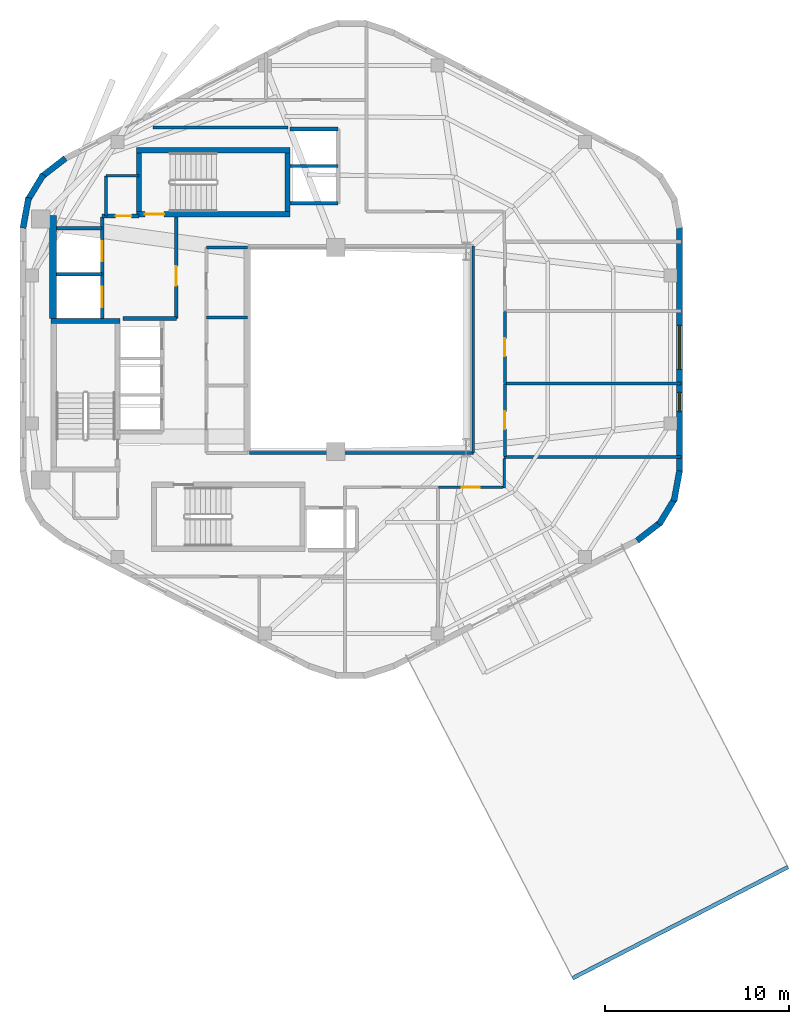
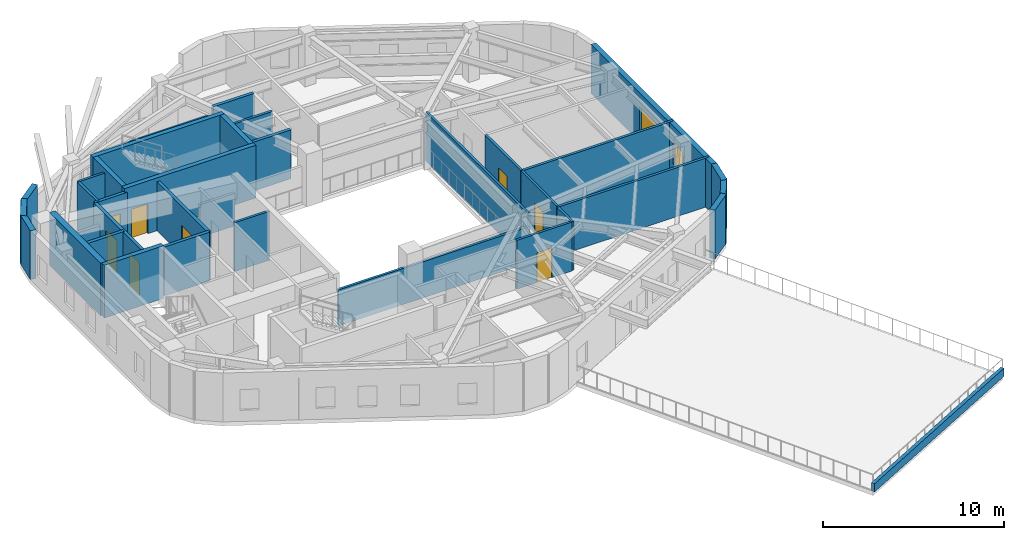
# One storey, part 4 of 8: 36 walls, 8 doors, 2 windows, 10 openings.
"""IFC4 building model written with IfcOpenShell, lengths in metres."""

from ifc_helpers import new_model, si_unit, direction, frame, frame_2d, origin, place, context, subcontext, project, spatial, rectangle, extrude, material, layer, layer_set, type_object, element, fill, save


model = new_model("IFC4")

# Units and contexts
model_context = context("Model", 3, precision=1e-05, world=origin(), true_north=direction((0.0, 1.0)))
body_context = subcontext(model_context, "Body", "Model", "MODEL_VIEW")
ifc_project = project(units=[si_unit("LENGTHUNIT", "METRE"), si_unit("AREAUNIT", "SQUARE_METRE"), si_unit("VOLUMEUNIT", "CUBIC_METRE"), si_unit("PLANEANGLEUNIT", "RADIAN"), si_unit("MASSUNIT", "GRAM", prefix="KILO"), si_unit("THERMODYNAMICTEMPERATUREUNIT", "KELVIN"), si_unit("POWERUNIT", "WATT")], contexts=[model_context])

# Site, building, storey
site_placement = place(None, origin())
site = spatial("IfcSite", under=ifc_project, at=site_placement, CompositionType="ELEMENT")
building_placement = place(site_placement, origin())
building = spatial("IfcBuilding", under=site, at=building_placement, Name="Skarre Station Tower", CompositionType="ELEMENT")
storey_placement = place(building_placement, frame((0.0, 0.0, 245.449951171875)))
storey = spatial("IfcBuildingStorey", under=building, at=storey_placement, Name="L67", CompositionType="ELEMENT", Elevation=245.449951171875)

# Walls
ifc_material_1 = material(Name="Acoustic Steel-Stud Gypsum Partition", Category="steel")
ifc_layer_1 = layer(ifc_material_1, 0.14990234375, Name="Acoustic Steel-Stud Gypsum Partition")
ifc_layer_set_1 = layer_set([ifc_layer_1], Name="Acoustic Steel-Stud Gypsum Partition")
wall_type_1 = type_object("IfcWallType", Name="Fire-Rated Corridor Acoustic Partition 150", PredefinedType="PARTITIONING", material=ifc_layer_set_1)
wall_1_placement = place(storey_placement, frame((25.320068359375, 25.739990234375, 0.0), z_axis=(0.0, 0.0, 1.0), x_axis=(1.0, 0.0, 0.0)))
element("IfcWall", 1, at=wall_1_placement, inside=storey, type_object=wall_type_1, Name="L67 Interior Partition WL-PT-L67-RC2-M2", PredefinedType="PARTITIONING", context=body_context, shape_type="SweptSolid", body=[
    extrude(rectangle(XDim=2.22998046875, YDim=0.14990234375, at=frame_2d((1.114990234375, 0.0))), origin(), (0.0, 0.0, 1.0), 3.2900390625),
])
wall_2_placement = place(storey_placement, frame((27.550048828125, 29.550048828125, 0.0), z_axis=(0.0, 0.0, 1.0), x_axis=(-1.0, 0.0, 0.0)))
element("IfcWall", 2, at=wall_2_placement, inside=storey, type_object=wall_type_1, Name="L67 Interior Partition WL-PT-L67-RC2-N", PredefinedType="PARTITIONING", context=body_context, shape_type="SweptSolid", body=[
    extrude(rectangle(XDim=2.22998046875, YDim=0.14990234375, at=frame_2d((1.114990234375, 0.0))), origin(), (0.0, 0.0, 1.0), 2.18994140625),
])
wall_3_placement = place(storey_placement, frame((19.85009765625, 33.449951171875, 0.0), z_axis=(0.0, 0.0, 1.0), x_axis=(0.0, -1.0, 0.0)))
element("IfcWall", 3, at=wall_3_placement, inside=storey, type_object=wall_type_1, Name="L67 Interior Partition WL-PT-L67-CNW-W", PredefinedType="PARTITIONING", context=body_context, shape_type="SweptSolid", body=[
    extrude(rectangle(XDim=2.18994140625, YDim=0.14990234375, at=frame_2d((1.094970703125, 0.0))), origin(), (0.0, 0.0, 1.0), 3.2900390625),
])
wall_4_placement = place(storey_placement, frame((21.659912109375, 33.449951171875, 0.0), z_axis=(0.0, 0.0, 1.0), x_axis=(-1.0, 0.0, 0.0)))
element("IfcWall", 4, at=wall_4_placement, inside=storey, type_object=wall_type_1, Name="L67 Interior Partition WL-PT-L67-CNW-N1", PredefinedType="PARTITIONING", context=body_context, shape_type="SweptSolid", body=[
    extrude(rectangle(XDim=1.809814453125, YDim=0.14990234375, at=frame_2d((0.90478515625, 0.0))), origin(), (0.0, 0.0, 1.0), 3.2900390625),
])
wall_5_placement = place(storey_placement, frame((27.675048828125, 18.360107421875, 0.0), z_axis=(0.0, 0.0, 1.0), x_axis=(1.0, 0.0, 0.0)))
element("IfcWall", 5, at=wall_5_placement, inside=storey, type_object=wall_type_1, Name="L67 Interior Partition WL-PT-L67-ATRW-S", PredefinedType="PARTITIONING", context=body_context, shape_type="SweptSolid", body=[
    extrude(rectangle(XDim=12.1650390625, YDim=0.14990234375, at=frame_2d((6.08251953125, 0.0))), origin(), (0.0, 0.0, 1.0), 2.43115234375),
])
wall_6_placement = place(storey_placement, frame((39.840087890625, 18.360107421875, 0.0), z_axis=(0.0, 0.0, 1.0), x_axis=(0.0, 1.0, 0.0)))
element("IfcWall", 6, at=wall_6_placement, inside=storey, type_object=wall_type_1, Name="L67 Interior Partition WL-PT-L67-ATRW-E", PredefinedType="PARTITIONING", context=body_context, shape_type="SweptSolid", body=[
    extrude(rectangle(XDim=11.27978515625, YDim=0.14990234375, at=frame_2d((5.639892578125, 0.0))), origin(), (0.0, 0.0, 1.0), 3.2900390625),
])

# Wall, opening, door
wall_7_placement = place(storey_placement, frame((41.56005859375, 18.179931640625, 0.0), z_axis=(0.0, 0.0, 1.0), x_axis=(0.0, 1.0, 0.0)))
wall_7 = element("IfcWall", 7, at=wall_7_placement, inside=storey, type_object=wall_type_1, Name="L67 Interior Partition WL-PT-L67-EW1-CW", PredefinedType="PARTITIONING", context=body_context, shape_type="SweptSolid", body=[
    extrude(rectangle(XDim=3.940185546875, YDim=0.14990234375, at=frame_2d((1.97021484375, 0.0))), origin(), (0.0, 0.0, 1.0), 3.2900390625),
])
opening_1_placement = place(wall_7_placement, frame((1.489990234375, 0.0, 0.0)))
opening_1 = element("IfcOpeningElement", 8, at=opening_1_placement, cuts=wall_7, Name="Opening DR-FD60", PredefinedType="OPENING", context=body_context, shape_type="SweptSolid", body=[
    extrude(rectangle(XDim=0.9599609375, YDim=2.0, at=frame_2d((0.47998046875, 1.0))), frame((0.0, 0.0849609375, 0.0), z_axis=(0.0, -1.0, 0.0), x_axis=(1.0, 0.0, 0.0)), (0.0, 0.0, 1.0), 0.169921875),
])
ifc_material_2 = material(Name="Nordic White-Oak Veneer Solid-Core Fire Leaf", Category="wood")
door_type_1 = type_object("IfcDoorType", Name="Corridor Suite Entry Fire Door FD60 960x2150", OperationType="SINGLE_SWING_LEFT", PredefinedType="DOOR", material=ifc_material_2)
door_1_placement = place(opening_1_placement, origin())
door_1 = element("IfcDoor", 9, at=door_1_placement, inside=storey, type_object=door_type_1, Name="L67 EW1 Entry Door", OperationType="SINGLE_SWING_LEFT", OverallHeight=2.0, OverallWidth=0.9599609375, PredefinedType="DOOR", context=body_context, shape_type="SweptSolid", body=[
    extrude(rectangle(XDim=0.9599609375, YDim=2.0, at=frame_2d((0.47998046875, 1.0))), frame((0.0, 0.02490234375, 0.0), z_axis=(0.0, -1.0, 0.0), x_axis=(1.0, 0.0, 0.0)), (0.0, 0.0, 1.0), 0.050048828125),
])
fill(opening_1, door_1)

wall_8_placement = place(storey_placement, frame((41.56005859375, 22.156005859375, 0.0), z_axis=(0.0, 0.0, 1.0), x_axis=(0.0, 1.0, 0.0)))
wall_8 = element("IfcWall", 10, at=wall_8_placement, inside=storey, type_object=wall_type_1, Name="L67 Interior Partition WL-PT-L67-EW2-CW", PredefinedType="PARTITIONING", context=body_context, shape_type="SweptSolid", body=[
    extrude(rectangle(XDim=3.9208984375, YDim=0.14990234375, at=frame_2d((1.96044921875, 0.0))), origin(), (0.0, 0.0, 1.0), 3.2900390625),
])
opening_2_placement = place(wall_8_placement, frame((1.48095703125, 0.0, 0.0)))
opening_2 = element("IfcOpeningElement", 11, at=opening_2_placement, cuts=wall_8, Name="Opening DR-FD60", PredefinedType="OPENING", context=body_context, shape_type="SweptSolid", body=[
    extrude(rectangle(XDim=0.9599609375, YDim=2.0, at=frame_2d((0.47998046875, 1.0))), frame((0.0, 0.0849609375, 0.0), z_axis=(0.0, -1.0, 0.0), x_axis=(1.0, 0.0, 0.0)), (0.0, 0.0, 1.0), 0.169921875),
])
door_2_placement = place(opening_2_placement, origin())
door_2 = element("IfcDoor", 12, at=door_2_placement, inside=storey, type_object=door_type_1, Name="L67 EW2 Entry Door", OperationType="SINGLE_SWING_LEFT", OverallHeight=2.0, OverallWidth=0.9599609375, PredefinedType="DOOR", context=body_context, shape_type="SweptSolid", body=[
    extrude(rectangle(XDim=0.9599609375, YDim=2.0, at=frame_2d((0.47998046875, 1.0))), frame((0.0, 0.02490234375, 0.0), z_axis=(0.0, -1.0, 0.0), x_axis=(1.0, 0.0, 0.0)), (0.0, 0.0, 1.0), 0.050048828125),
])
fill(opening_2, door_2)

# Wall
wall_9_placement = place(storey_placement, frame((41.52001953125, 16.4599609375, 0.0), z_axis=(0.0, 0.0, 1.0), x_axis=(0.0, 1.0, 0.0)))
element("IfcWall", 13, at=wall_9_placement, inside=storey, type_object=wall_type_1, Name="L67 Interior Partition WL-PT-L67-CORR-SER", PredefinedType="PARTITIONING", context=body_context, shape_type="SweptSolid", body=[
    extrude(rectangle(XDim=1.60205078125, YDim=0.14990234375, at=frame_2d((0.801025390625, 0.0))), origin(), (0.0, 0.0, 1.0), 3.2900390625),
])

# Wall, opening, door
wall_10_placement = place(storey_placement, frame((37.947021484375, 16.5, 0.0), z_axis=(0.0, 0.0, 1.0), x_axis=(1.0, 0.0, 0.0)))
wall_10 = element("IfcWall", 14, at=wall_10_placement, inside=storey, type_object=wall_type_1, Name="L67 Interior Partition WL-PT-L67-SW2-CW", PredefinedType="PARTITIONING", context=body_context, shape_type="SweptSolid", body=[
    extrude(rectangle(XDim=3.512939453125, YDim=0.14990234375, at=frame_2d((1.75634765625, 0.0))), origin(), (0.0, 0.0, 1.0), 3.2900390625),
])
opening_3_placement = place(wall_10_placement, frame((1.277099609375, 0.0, 0.0)))
opening_3 = element("IfcOpeningElement", 15, at=opening_3_placement, cuts=wall_10, Name="Opening DR-FD60", PredefinedType="OPENING", context=body_context, shape_type="SweptSolid", body=[
    extrude(rectangle(XDim=0.9599609375, YDim=2.0, at=frame_2d((0.47998046875, 1.0))), frame((0.0, 0.0849609375, 0.0), z_axis=(0.0, -1.0, 0.0), x_axis=(1.0, 0.0, 0.0)), (0.0, 0.0, 1.0), 0.169921875),
])
door_3_placement = place(opening_3_placement, origin())
door_3 = element("IfcDoor", 16, at=door_3_placement, inside=storey, type_object=door_type_1, Name="L67 SW2 Entry Door", OperationType="SINGLE_SWING_LEFT", OverallHeight=2.0, OverallWidth=0.9599609375, PredefinedType="DOOR", context=body_context, shape_type="SweptSolid", body=[
    extrude(rectangle(XDim=0.9599609375, YDim=2.0, at=frame_2d((0.47998046875, 1.0))), frame((0.0, 0.02490234375, 0.0), z_axis=(0.0, -1.0, 0.0), x_axis=(1.0, 0.0, 0.0)), (0.0, 0.0, 1.0), 0.050048828125),
])
fill(opening_3, door_3)

# Walls
wall_11_placement = place(storey_placement, frame((29.7529296875, 36.080078125, 0.0), z_axis=(0.0, 0.0, 1.0), x_axis=(-1.0, 0.0, 0.0)))
element("IfcWall", 17, at=wall_11_placement, inside=storey, type_object=wall_type_1, Name="L67 Interior Partition WL-PT-L67-CSEAL-1", PredefinedType="PARTITIONING", context=body_context, shape_type="SweptSolid", body=[
    extrude(rectangle(XDim=7.35302734375, YDim=0.14990234375, at=frame_2d((3.676513671875, 0.0))), origin(), (0.0, 0.0, 1.0), 2.68212890625),
])
ifc_material_3 = material(Name="Precast concrete C45/55", Category="concrete")
ifc_layer_2 = layer(ifc_material_3, 0.330078125, Name="Precast concrete C45/55")
ifc_layer_set_2 = layer_set([ifc_layer_2], Name="Precast concrete C45/55")
wall_type_2 = type_object("IfcWallType", Name="Nordic Rounded Corner Precast Wall 330", PredefinedType="STANDARD", material=ifc_layer_set_2)
wall_12_placement = place(storey_placement, frame((15.337890625, 30.60791015625, 0.0), z_axis=(0.0, 0.0, 1.0), x_axis=(0.180832605401, 0.983513888475, 0.0)))
element("IfcWall", 18, at=wall_12_placement, inside=storey, type_object=wall_type_2, Name="L67 Rounded Corner Precast Wall F2-1", PredefinedType="STANDARD", context=body_context, shape_type="SweptSolid", body=[
    extrude(rectangle(XDim=1.6767578125, YDim=0.330078125, at=frame_2d((0.83837890625, 0.0))), origin(), (0.0, 0.0, 1.0), 3.2900390625),
])
wall_13_placement = place(storey_placement, frame((15.573974609375, 32.08203125, 0.0), z_axis=(0.0, 0.0, 1.0), x_axis=(0.520325409202, 0.853968072318, 0.0)))
element("IfcWall", 19, at=wall_13_placement, inside=storey, type_object=wall_type_2, Name="L67 Rounded Corner Precast Wall F2-2", PredefinedType="STANDARD", context=body_context, shape_type="SweptSolid", body=[
    extrude(rectangle(XDim=1.677978515625, YDim=0.330078125, at=frame_2d((0.8388671875, 0.0))), origin(), (0.0, 0.0, 1.0), 3.2900390625),
])
wall_14_placement = place(storey_placement, frame((16.322021484375, 33.375, 0.0), z_axis=(0.0, 0.0, 1.0), x_axis=(0.790691856293, 0.61221433207, 0.0)))
element("IfcWall", 20, at=wall_14_placement, inside=storey, type_object=wall_type_2, Name="L67 Rounded Corner Precast Wall F2-3", PredefinedType="STANDARD", context=body_context, shape_type="SweptSolid", body=[
    extrude(rectangle(XDim=1.67578125, YDim=0.330078125, at=frame_2d((0.837890625, 0.0))), origin(), (0.0, 0.0, 1.0), 3.2900390625),
])
wall_15_placement = place(storey_placement, frame((51.06201171875, 17.39208984375, 0.0), z_axis=(0.0, 0.0, 1.0), x_axis=(-0.180691763044, -0.983539773862, 0.0)))
element("IfcWall", 21, at=wall_15_placement, inside=storey, type_object=wall_type_2, Name="L67 Rounded Corner Precast Wall F5-1", PredefinedType="STANDARD", context=body_context, shape_type="SweptSolid", body=[
    extrude(rectangle(XDim=1.6767578125, YDim=0.330078125, at=frame_2d((0.83837890625, 0.0))), origin(), (0.0, 0.0, 1.0), 3.2900390625),
])
wall_16_placement = place(storey_placement, frame((50.825927734375, 15.91796875, 0.0), z_axis=(0.0, 0.0, 1.0), x_axis=(-0.520325409202, -0.853968072318, 0.0)))
element("IfcWall", 22, at=wall_16_placement, inside=storey, type_object=wall_type_2, Name="L67 Rounded Corner Precast Wall F5-2", PredefinedType="STANDARD", context=body_context, shape_type="SweptSolid", body=[
    extrude(rectangle(XDim=1.677978515625, YDim=0.330078125, at=frame_2d((0.8388671875, 0.0))), origin(), (0.0, 0.0, 1.0), 3.2900390625),
])
wall_17_placement = place(storey_placement, frame((50.077880859375, 14.625, 0.0), z_axis=(0.0, 0.0, 1.0), x_axis=(-0.790691856293, -0.61221433207, 0.0)))
element("IfcWall", 23, at=wall_17_placement, inside=storey, type_object=wall_type_2, Name="L67 Rounded Corner Precast Wall F5-3", PredefinedType="STANDARD", context=body_context, shape_type="SweptSolid", body=[
    extrude(rectangle(XDim=1.67578125, YDim=0.330078125, at=frame_2d((0.837890625, 0.0))), origin(), (0.0, 0.0, 1.0), 3.2900390625),
])

# Wall, openings, windows
ifc_layer_3 = layer(ifc_material_3, 0.31005859375, Name="Precast concrete C45/55")
ifc_layer_set_3 = layer_set([ifc_layer_3], Name="Precast concrete C45/55")
wall_type_3 = type_object("IfcWallType", Name="Nordic Upper-Zone Precast Facet Wall 310", PredefinedType="STANDARD", material=ifc_layer_set_3)
wall_18_placement = place(storey_placement, frame((51.05810546875, 30.701904296875, 0.0), z_axis=(0.0, 0.0, 1.0), x_axis=(0.0, -1.0, 0.0)))
wall_18 = element("IfcWall", 24, at=wall_18_placement, inside=storey, type_object=wall_type_3, Name="L67 Facet 5 Nordic Precast Masonry Wall", PredefinedType="STANDARD", context=body_context, shape_type="SweptSolid", body=[
    extrude(rectangle(XDim=13.40380859375, YDim=0.31005859375, at=frame_2d((6.701904296875, 0.0))), origin(), (0.0, 0.0, 1.0), 3.2900390625),
])
opening_4_placement = place(wall_18_placement, frame((5.385986328125, 0.0, 0.75)))
opening_4 = element("IfcOpeningElement", 25, at=opening_4_placement, cuts=wall_18, Name="Opening WN-Z4A", PredefinedType="OPENING", context=body_context, shape_type="SweptSolid", body=[
    extrude(rectangle(XDim=2.39990234375, YDim=1.60009765625, at=frame_2d((1.199951171875, 0.800048828125))), frame((0.0, 0.1650390625, 0.0), z_axis=(0.0, -1.0, 0.0), x_axis=(1.0, 0.0, 0.0)), (0.0, 0.0, 1.0), 0.330078125),
])
opening_5_placement = place(wall_18_placement, frame((9.0400390625, 0.0, 0.75)))
opening_5 = element("IfcOpeningElement", 26, at=opening_5_placement, cuts=wall_18, Name="Opening WN-SLT", PredefinedType="OPENING", context=body_context, shape_type="SweptSolid", body=[
    extrude(rectangle(XDim=1.050048828125, YDim=1.39990234375, at=frame_2d((0.52490234375, 0.699951171875))), frame((0.0, 0.1650390625, 0.0), z_axis=(0.0, -1.0, 0.0), x_axis=(1.0, 0.0, 0.0)), (0.0, 0.0, 1.0), 0.330078125),
])
ifc_material_4 = material(Name="Low-Iron Triple Glazing with Bronze Anodized Frame", Category="glass")
window_type_1 = type_object("IfcWindowType", Name="Nordic Corner Slot Window 1050x1400", PartitioningType="SINGLE_PANEL", PredefinedType="WINDOW", material=ifc_material_4)
window_1_placement = place(opening_5_placement, origin())
window_1 = element("IfcWindow", 27, at=window_1_placement, inside=storey, type_object=window_type_1, Name="L67 Facade Window WL-FAC-L67-F5-2", OverallHeight=1.39990234375, OverallWidth=1.050048828125, PartitioningType="SINGLE_PANEL", PredefinedType="WINDOW", context=body_context, shape_type="SweptSolid", body=[
    extrude(rectangle(XDim=1.050048828125, YDim=1.39990234375, at=frame_2d((0.52490234375, 0.699951171875))), frame((0.0, 0.030029296875, 0.0), z_axis=(0.0, -1.0, 0.0), x_axis=(1.0, 0.0, 0.0)), (0.0, 0.0, 1.0), 0.06005859375),
])
fill(opening_5, window_1)
window_type_2 = type_object("IfcWindowType", Name="Nordic Crown Panorama Window 2400x1600", PartitioningType="SINGLE_PANEL", PredefinedType="WINDOW", material=ifc_material_4)
window_2_placement = place(opening_4_placement, origin())
window_2 = element("IfcWindow", 28, at=window_2_placement, inside=storey, type_object=window_type_2, Name="L67 Facade Window WL-FAC-L67-F5-1", OverallHeight=1.60009765625, OverallWidth=2.39990234375, PartitioningType="SINGLE_PANEL", PredefinedType="WINDOW", context=body_context, shape_type="SweptSolid", body=[
    extrude(rectangle(XDim=2.39990234375, YDim=1.60009765625, at=frame_2d((1.199951171875, 0.800048828125))), frame((0.0, 0.030029296875, 0.0), z_axis=(0.0, -1.0, 0.0), x_axis=(1.0, 0.0, 0.0)), (0.0, 0.0, 1.0), 0.06005859375),
])
fill(opening_4, window_2)

# Wall
ifc_material_5 = material(Name="Concrete C50/60", Category="concrete")
ifc_layer_4 = layer(ifc_material_5, 0.280029296875, Name="Concrete C50/60")
ifc_layer_set_4 = layer_set([ifc_layer_4], Name="Concrete C50/60")
wall_type_4 = type_object("IfcWallType", Name="RC Core Shear Wall 280", PredefinedType="SHEAR", material=ifc_layer_set_4)
wall_19_placement = place(storey_placement, frame((20.6298828125, 25.5400390625, 0.0), z_axis=(0.0, 0.0, 1.0), x_axis=(-1.0, 0.0, 0.0)))
element("IfcWall", 29, at=wall_19_placement, inside=storey, type_object=wall_type_4, Name="L67 Stair ST-1 North Shear Wall", PredefinedType="SHEAR", context=body_context, shape_type="SweptSolid", body=[
    extrude(rectangle(XDim=3.759765625, YDim=0.280029296875, at=frame_2d((1.8798828125, 0.0))), origin(), (0.0, 0.0, 1.0), 3.550048828125),
])

# Wall, opening, door
wall_20_placement = place(storey_placement, frame((21.52001953125, 31.360107421875, 0.0), z_axis=(0.0, 0.0, 1.0), x_axis=(1.0, 0.0, 0.0)))
wall_20 = element("IfcWall", 30, at=wall_20_placement, inside=storey, type_object=wall_type_4, Name="L67 Stair ST-3 South Shear Wall", PredefinedType="SHEAR", context=body_context, shape_type="SweptSolid", body=[
    extrude(rectangle(XDim=8.35986328125, YDim=0.280029296875, at=frame_2d((4.179931640625, 0.0))), origin(), (0.0, 0.0, 1.0), 3.550048828125),
])
opening_6_placement = place(wall_20_placement, frame((0.449951171875, 0.0, 0.0)))
opening_6 = element("IfcOpeningElement", 31, at=opening_6_placement, cuts=wall_20, Name="Opening DR-FD90", PredefinedType="OPENING", context=body_context, shape_type="SweptSolid", body=[
    extrude(rectangle(XDim=1.050048828125, YDim=2.0, at=frame_2d((0.52490234375, 1.0))), frame((0.0, 0.14990234375, 0.0), z_axis=(0.0, -1.0, 0.0), x_axis=(1.0, 0.0, 0.0)), (0.0, 0.0, 1.0), 0.300048828125),
])
ifc_material_6 = material(Name="Fire-Rated Insulated Steel Frame & Timber Core Leaf", Category="steel")
door_type_2 = type_object("IfcDoorType", Name="Stair & FSAE Lobby Fire Door FD90 1050x2150", OperationType="SINGLE_SWING_RIGHT", PredefinedType="DOOR", material=ifc_material_6)
door_4_placement = place(opening_6_placement, origin())
door_4 = element("IfcDoor", 32, at=door_4_placement, inside=storey, type_object=door_type_2, Name="L67 Stair ST-3 & FSAE Lobby Direct Exit Door", OperationType="SINGLE_SWING_LEFT", OverallHeight=2.0, OverallWidth=1.050048828125, PredefinedType="DOOR", context=body_context, shape_type="SweptSolid", body=[
    extrude(rectangle(XDim=1.050048828125, YDim=2.0, at=frame_2d((0.52490234375, 1.0))), frame((0.0, 0.02490234375, 0.0), z_axis=(0.0, -1.0, 0.0), x_axis=(1.0, 0.0, 0.0)), (0.0, 0.0, 1.0), 0.050048828125),
])
fill(opening_6, door_4)

# Walls
wall_21_placement = place(storey_placement, frame((29.8798828125, 34.840087890625, 0.0), z_axis=(0.0, 0.0, 1.0), x_axis=(-1.0, 0.0, 0.0)))
element("IfcWall", 33, at=wall_21_placement, inside=storey, type_object=wall_type_4, Name="L67 Stair ST-3 North Shear Wall", PredefinedType="SHEAR", context=body_context, shape_type="SweptSolid", body=[
    extrude(rectangle(XDim=8.35986328125, YDim=0.280029296875, at=frame_2d((4.179931640625, 0.0))), origin(), (0.0, 0.0, 1.0), 3.550048828125),
])
for number, where, z_axis, x_axis, name in (
    (34, (21.659912109375, 34.699951171875, 0.0), (0.0, 0.0, 1.0), (0.0, -1.0, 0.0), "L67 Stair ST-3 West Shear Wall"),
    (35, (29.739990234375, 31.5, 0.0), (0.0, 0.0, 1.0), (0.0, 1.0, 0.0), "L67 Stair ST-3 East Shear Wall"),
):
    element("IfcWall", number, at=place(storey_placement, frame(where, z_axis=z_axis, x_axis=x_axis)), inside=storey, type_object=wall_type_4, Name=name, PredefinedType="SHEAR", context=body_context, shape_type="SweptSolid", body=[
        extrude(rectangle(XDim=3.199951171875, YDim=0.280029296875, at=frame_2d((1.60009765625, 0.0))), origin(), (0.0, 0.0, 1.0), 3.550048828125),
    ])
ifc_layer_5 = layer(ifc_material_5, 0.360107421875, Name="Concrete C50/60")
ifc_layer_set_5 = layer_set([ifc_layer_5], Name="Concrete C50/60")
wall_type_5 = type_object("IfcWallType", Name="RC Core Shear Wall 360", PredefinedType="SHEAR", material=ifc_layer_set_5)
wall_22_placement = place(storey_placement, frame((16.969970703125, 25.679931640625, 0.0), z_axis=(0.0, 0.0, 1.0), x_axis=(0.0, 1.0, 0.0)))
element("IfcWall", 36, at=wall_22_placement, inside=storey, type_object=wall_type_5, Name="L67 Core West-North Shear Wall", PredefinedType="SHEAR", context=body_context, shape_type="SweptSolid", body=[
    extrude(rectangle(XDim=5.6201171875, YDim=0.360107421875, at=frame_2d((2.81005859375, 0.0))), origin(), (0.0, 0.0, 1.0), 3.550048828125),
])

# Wall, openings, doors
ifc_material_7 = material(Name="Gypsum Concrete Shaft Assembly C30/37", Category="concrete")
ifc_layer_6 = layer(ifc_material_7, 0.199951171875, Name="Gypsum Concrete Shaft Assembly C30/37")
ifc_layer_set_6 = layer_set([ifc_layer_6], Name="Gypsum Concrete Shaft Assembly C30/37")
wall_type_6 = type_object("IfcWallType", Name="Shaft & Core Fire Partition 200", PredefinedType="PARTITIONING", material=ifc_layer_set_6)
wall_23_placement = place(storey_placement, frame((19.64990234375, 25.679931640625, 0.0), z_axis=(0.0, 0.0, 1.0), x_axis=(0.0, 1.0, 0.0)))
wall_23 = element("IfcWall", 37, at=wall_23_placement, inside=storey, type_object=wall_type_6, Name="L67 Interior Partition WL-PT-L67-FSAE-W", PredefinedType="PARTITIONING", context=body_context, shape_type="SweptSolid", body=[
    extrude(rectangle(XDim=5.5400390625, YDim=0.199951171875, at=frame_2d((2.77001953125, 0.0))), origin(), (0.0, 0.0, 1.0), 3.2900390625),
])
opening_7_placement = place(wall_23_placement, frame((0.6201171875, 0.0, 0.0)))
opening_7 = element("IfcOpeningElement", 38, at=opening_7_placement, cuts=wall_23, Name="Opening LD-FF1", PredefinedType="OPENING", context=body_context, shape_type="SweptSolid", body=[
    extrude(rectangle(XDim=1.10009765625, YDim=2.199951171875, at=frame_2d((0.550048828125, 1.10009765625))), frame((0.0, 0.10986328125, 0.0), z_axis=(0.0, -1.0, 0.0), x_axis=(1.0, 0.0, 0.0)), (0.0, 0.0, 1.0), 0.219970703125),
])
opening_8_placement = place(wall_23_placement, frame((3.1201171875, 0.0, 0.0)))
opening_8 = element("IfcOpeningElement", 39, at=opening_8_placement, cuts=wall_23, Name="Opening LD-FF2", PredefinedType="OPENING", context=body_context, shape_type="SweptSolid", body=[
    extrude(rectangle(XDim=1.10009765625, YDim=2.199951171875, at=frame_2d((0.550048828125, 1.10009765625))), frame((0.0, 0.10986328125, 0.0), z_axis=(0.0, -1.0, 0.0), x_axis=(1.0, 0.0, 0.0)), (0.0, 0.0, 1.0), 0.219970703125),
])
ifc_material_8 = material(Name="Fire-Rated Stainless Steel Grade 316L Sliding Leaves", Category="steel")
door_type_3 = type_object("IfcDoorType", Name="Fire Service Access Elevator Sliding Landing Door 1100x2200", OperationType="SLIDING_TO_LEFT", PredefinedType="DOOR", material=ifc_material_8)
door_5_placement = place(opening_7_placement, origin())
door_5 = element("IfcDoor", 40, at=door_5_placement, inside=storey, type_object=door_type_3, Name="L67 Firefighting Lift LF-FF1 Landing Door", OperationType="SLIDING_TO_LEFT", OverallHeight=2.199951171875, OverallWidth=1.10009765625, PredefinedType="DOOR", context=body_context, shape_type="SweptSolid", body=[
    extrude(rectangle(XDim=1.10009765625, YDim=2.199951171875, at=frame_2d((0.550048828125, 1.10009765625))), frame((0.0, 0.02490234375, 0.0), z_axis=(0.0, -1.0, 0.0), x_axis=(1.0, 0.0, 0.0)), (0.0, 0.0, 1.0), 0.050048828125),
])
fill(opening_7, door_5)
door_6_placement = place(opening_8_placement, origin())
door_6 = element("IfcDoor", 41, at=door_6_placement, inside=storey, type_object=door_type_3, Name="L67 Firefighting Lift LF-FF2 Landing Door", OperationType="SLIDING_TO_LEFT", OverallHeight=2.199951171875, OverallWidth=1.10009765625, PredefinedType="DOOR", context=body_context, shape_type="SweptSolid", body=[
    extrude(rectangle(XDim=1.10009765625, YDim=2.199951171875, at=frame_2d((0.550048828125, 1.10009765625))), frame((0.0, 0.02490234375, 0.0), z_axis=(0.0, -1.0, 0.0), x_axis=(1.0, 0.0, 0.0)), (0.0, 0.0, 1.0), 0.050048828125),
])
fill(opening_8, door_6)

# Wall
wall_24_placement = place(storey_placement, frame((20.79296875, 25.679931640625, 0.0), z_axis=(0.0, 0.0, 1.0), x_axis=(1.0, 0.0, 0.0)))
element("IfcWall", 42, at=wall_24_placement, inside=storey, type_object=wall_type_6, Name="L67 Interior Partition WL-PT-L67-FSAE-S", PredefinedType="PARTITIONING", context=body_context, shape_type="SweptSolid", body=[
    extrude(rectangle(XDim=2.886962890625, YDim=0.199951171875, at=frame_2d((1.443359375, 0.0))), origin(), (0.0, 0.0, 1.0), 3.2900390625),
])

# Wall, opening, door
wall_25_placement = place(storey_placement, frame((23.679931640625, 25.679931640625, 0.0), z_axis=(0.0, 0.0, 1.0), x_axis=(0.0, 1.0, 0.0)))
wall_25 = element("IfcWall", 43, at=wall_25_placement, inside=storey, type_object=wall_type_6, Name="L67 Interior Partition WL-PT-L67-FSAE-E", PredefinedType="PARTITIONING", context=body_context, shape_type="SweptSolid", body=[
    extrude(rectangle(XDim=5.5400390625, YDim=0.199951171875, at=frame_2d((2.77001953125, 0.0))), origin(), (0.0, 0.0, 1.0), 3.2900390625),
])
opening_9_placement = place(wall_25_placement, frame((1.800048828125, 0.0, 0.0)))
opening_9 = element("IfcOpeningElement", 44, at=opening_9_placement, cuts=wall_25, Name="Opening DR-FD90", PredefinedType="OPENING", context=body_context, shape_type="SweptSolid", body=[
    extrude(rectangle(XDim=1.050048828125, YDim=2.0, at=frame_2d((0.52490234375, 1.0))), frame((0.0, 0.10986328125, 0.0), z_axis=(0.0, -1.0, 0.0), x_axis=(1.0, 0.0, 0.0)), (0.0, 0.0, 1.0), 0.219970703125),
])
door_7_placement = place(opening_9_placement, origin())
door_7 = element("IfcDoor", 45, at=door_7_placement, inside=storey, type_object=door_type_2, Name="L67 FSAE Lobby Fire Door", OperationType="SINGLE_SWING_RIGHT", OverallHeight=2.0, OverallWidth=1.050048828125, PredefinedType="DOOR", context=body_context, shape_type="SweptSolid", body=[
    extrude(rectangle(XDim=1.050048828125, YDim=2.0, at=frame_2d((0.52490234375, 1.0))), frame((0.0, 0.02490234375, 0.0), z_axis=(0.0, -1.0, 0.0), x_axis=(1.0, 0.0, 0.0)), (0.0, 0.0, 1.0), 0.050048828125),
])
fill(opening_9, door_7)

wall_26_placement = place(storey_placement, frame((21.659912109375, 31.260009765625, 0.0), z_axis=(0.0, 0.0, 1.0), x_axis=(-1.0, 0.0, 0.0)))
wall_26 = element("IfcWall", 46, at=wall_26_placement, inside=storey, type_object=wall_type_6, Name="L67 Interior Partition WL-PT-L67-FSAE-N", PredefinedType="PARTITIONING", context=body_context, shape_type="SweptSolid", body=[
    extrude(rectangle(XDim=2.010009765625, YDim=0.199951171875, at=frame_2d((1.0048828125, 0.0))), origin(), (0.0, 0.0, 1.0), 3.2900390625),
])
opening_10_placement = place(wall_26_placement, frame((0.419921875, 0.0, 0.0)))
opening_10 = element("IfcOpeningElement", 47, at=opening_10_placement, cuts=wall_26, Name="Opening DR-SVC86", PredefinedType="OPENING", context=body_context, shape_type="SweptSolid", body=[
    extrude(rectangle(XDim=0.860107421875, YDim=2.0, at=frame_2d((0.43017578125, 1.0))), frame((0.0, 0.10986328125, 0.0), z_axis=(0.0, -1.0, 0.0), x_axis=(1.0, 0.0, 0.0)), (0.0, 0.0, 1.0), 0.219970703125),
])
ifc_material_9 = material(Name="Powder-Coated Hollow-Metal Acoustic Fire Leaf", Category="steel")
door_type_4 = type_object("IfcDoorType", Name="Compact Riser Fire Door FD60 860x2100", OperationType="SINGLE_SWING_LEFT", PredefinedType="DOOR", material=ifc_material_9)
door_8_placement = place(opening_10_placement, origin())
door_8 = element("IfcDoor", 48, at=door_8_placement, inside=storey, type_object=door_type_4, Name="L67 Core Service Room Lobby Door", OperationType="SINGLE_SWING_LEFT", OverallHeight=2.0, OverallWidth=0.860107421875, PredefinedType="DOOR", context=body_context, shape_type="SweptSolid", body=[
    extrude(rectangle(XDim=0.860107421875, YDim=2.0, at=frame_2d((0.43017578125, 1.0))), frame((0.0, 0.02490234375, 0.0), z_axis=(0.0, -1.0, 0.0), x_axis=(1.0, 0.0, 0.0)), (0.0, 0.0, 1.0), 0.050048828125),
])
fill(opening_10, door_8)

# Walls
wall_27_placement = place(storey_placement, frame((17.14990234375, 28.10009765625, 0.0), z_axis=(0.0, 0.0, 1.0), x_axis=(1.0, 0.0, 0.0)))
element("IfcWall", 49, at=wall_27_placement, inside=storey, type_object=wall_type_6, Name="L67 Interior Partition WL-PT-L67-FF-DIV", PredefinedType="PARTITIONING", context=body_context, shape_type="SweptSolid", body=[
    extrude(rectangle(XDim=2.5, YDim=0.199951171875, at=frame_2d((1.25, 0.0))), origin(), (0.0, 0.0, 1.0), 3.2900390625),
])
wall_28_placement = place(storey_placement, frame((19.64990234375, 30.60009765625, 0.0), z_axis=(0.0, 0.0, 1.0), x_axis=(-1.0, 0.0, 0.0)))
element("IfcWall", 50, at=wall_28_placement, inside=storey, type_object=wall_type_6, Name="L67 Interior Partition WL-PT-L67-FF-N", PredefinedType="PARTITIONING", context=body_context, shape_type="SweptSolid", body=[
    extrude(rectangle(XDim=2.5, YDim=0.199951171875, at=frame_2d((1.25, 0.0))), origin(), (0.0, 0.0, 1.0), 2.18994140625),
])
for number, where, z_axis, x_axis, name in (
    (51, (29.8798828125, 36.0, 0.0), (0.0, 0.0, 1.0), (1.0, 0.0, 0.0), "L67 Interior Partition WL-PT-L67-EX-N"),
    (52, (32.47998046875, 31.949951171875, 0.0), (0.0, 0.0, 1.0), (-1.0, 0.0, 0.0), "L67 Interior Partition WL-PT-L67-EX-S"),
):
    element("IfcWall", number, at=place(storey_placement, frame(where, z_axis=z_axis, x_axis=x_axis)), inside=storey, type_object=wall_type_6, Name=name, PredefinedType="PARTITIONING", context=body_context, shape_type="SweptSolid", body=[
        extrude(rectangle(XDim=2.60009765625, YDim=0.199951171875, at=frame_2d((1.300048828125, 0.0))), origin(), (0.0, 0.0, 1.0), 3.2900390625),
    ])
wall_29_placement = place(storey_placement, frame((29.875, 33.97998046875, 0.0), z_axis=(0.0, 0.0, 1.0), x_axis=(1.0, 0.0, 0.0)))
element("IfcWall", 53, at=wall_29_placement, inside=storey, type_object=wall_type_6, Name="L67 Interior Partition WL-PT-L67-EX-DIV", PredefinedType="PARTITIONING", context=body_context, shape_type="SweptSolid", body=[
    extrude(rectangle(XDim=2.60498046875, YDim=0.159912109375, at=frame_2d((1.302490234375, 0.0))), origin(), (0.0, 0.0, 1.0), 3.2900390625),
])
ifc_material_10 = material(Name="Precast concrete C40/50", Category="concrete")
ifc_layer_7 = layer(ifc_material_10, 0.2099609375, Name="Precast concrete C40/50")
ifc_layer_set_7 = layer_set([ifc_layer_7], Name="Precast concrete C40/50")
wall_type_7 = type_object("IfcWallType", Name="Sky-Bar Terrace Parapet Wall 210", PredefinedType="PARAPET", material=ifc_layer_set_7)
wall_30_placement = place(storey_placement, frame((56.969970703125, -4.160888671875, 0.0), z_axis=(0.0, 0.0, 1.0), x_axis=(-0.888574451081, -0.458732432782, 0.0)))
element("IfcWall", 54, at=wall_30_placement, inside=storey, type_object=wall_type_7, Name="L67 SB-5 Prow Parapet Upstand", PredefinedType="PARAPET", context=body_context, shape_type="SweptSolid", body=[
    extrude(rectangle(XDim=13.19970703125, YDim=0.2099609375, at=frame_2d((6.599853515625, 0.0))), origin(), (0.0, 0.0, 1.0), 0.550048828125),
])
ifc_layer_8 = layer(ifc_material_1, 0.1650390625, Name="Acoustic Steel-Stud Gypsum Partition")
ifc_layer_set_8 = layer_set([ifc_layer_8], Name="Acoustic Steel-Stud Gypsum Partition")
wall_type_8 = type_object("IfcWallType", Name="Suite Demising Acoustic Partition 165", PredefinedType="PARTITIONING", material=ifc_layer_set_8)
wall_31_placement = place(storey_placement, frame((41.52001953125, 18.139892578125, 0.0), z_axis=(0.0, 0.0, 1.0), x_axis=(1.0, 0.0, 0.0)))
element("IfcWall", 55, at=wall_31_placement, inside=storey, type_object=wall_type_8, Name="L67 Interior Partition WL-PT-L67-EWB-S", PredefinedType="PARTITIONING", context=body_context, shape_type="SweptSolid", body=[
    extrude(rectangle(XDim=9.623046875, YDim=0.1650390625, at=frame_2d((4.8115234375, 0.0))), origin(), (0.0, 0.0, 1.0), 3.2900390625),
])
wall_32_placement = place(storey_placement, frame((41.590087890625, 22.137939453125, 0.0), z_axis=(0.0, 0.0, 1.0), x_axis=(1.0, 0.0, 0.0)))
element("IfcWall", 56, at=wall_32_placement, inside=storey, type_object=wall_type_8, Name="L67 Interior Partition WL-PT-L67-EW-P1", PredefinedType="PARTITIONING", context=body_context, shape_type="SweptSolid", body=[
    extrude(rectangle(XDim=9.552978515625, YDim=0.1650390625, at=frame_2d((4.7763671875, 0.0))), origin(), (0.0, 0.0, 1.0), 3.2900390625),
])

save(model, "model.ifc")
